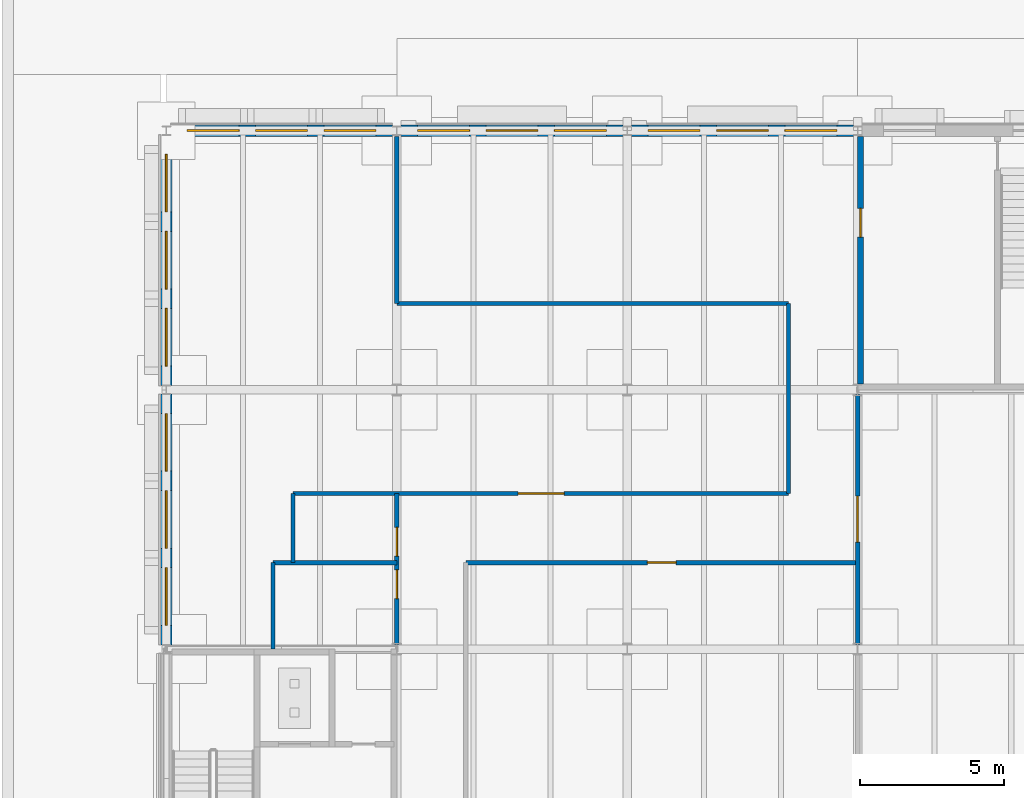
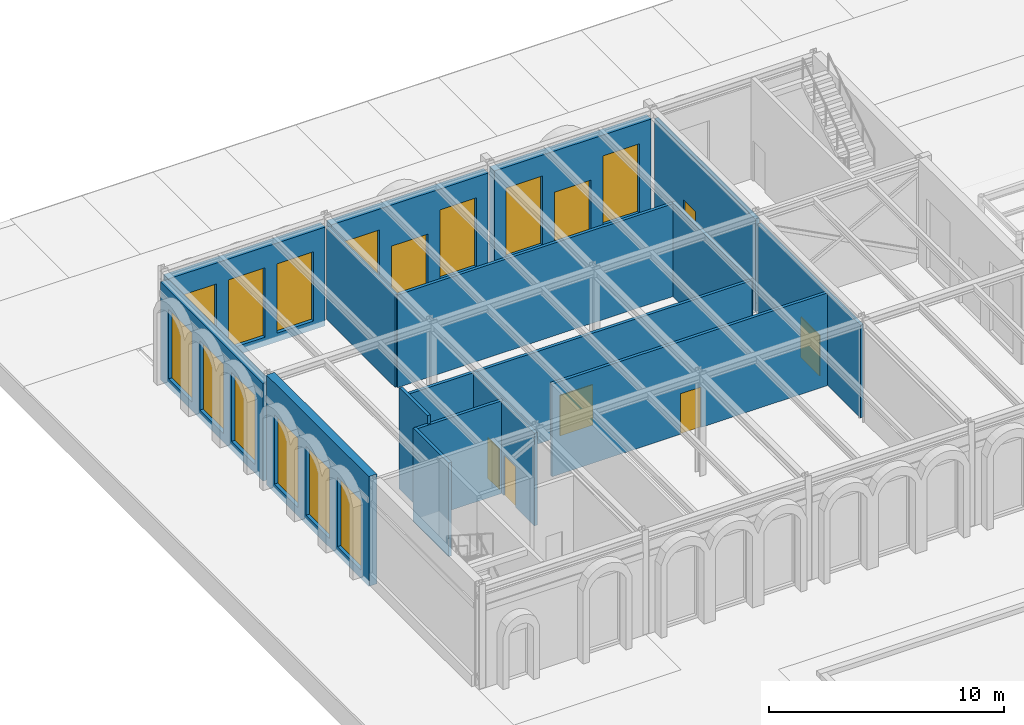
# One storey, part 75 of 126: 16 walls, 13 windows, 8 doors, 21 openings.
"""IFC4 building model written with IfcOpenShell, lengths in metres."""

from ifc_helpers import new_model, si_unit, direction, frame, frame_2d, origin, place, context, subcontext, project, spatial, rectangle, extrude, material, layer, layer_set, type_object, element, fill, save


model = new_model("IFC4")

# Units and contexts
model_context = context("Model", 3, precision=1e-05, world=origin(), true_north=direction((0.0, 1.0)))
body_context = subcontext(model_context, "Body", "Model", "MODEL_VIEW")
ifc_project = project(units=[si_unit("LENGTHUNIT", "METRE"), si_unit("AREAUNIT", "SQUARE_METRE"), si_unit("VOLUMEUNIT", "CUBIC_METRE"), si_unit("PLANEANGLEUNIT", "RADIAN"), si_unit("MASSUNIT", "GRAM", prefix="KILO")], contexts=[model_context])

# Site, building, storey
site_placement = place(None, origin())
site = spatial("IfcSite", under=ifc_project, at=site_placement, CompositionType="ELEMENT")
building_placement = place(site_placement, origin())
building = spatial("IfcBuilding", under=site, at=building_placement, Name="Kallimachos Central Library", CompositionType="ELEMENT")
storey_placement = place(building_placement, origin())
storey = spatial("IfcBuildingStorey", under=building, at=storey_placement, Name="L00", CompositionType="ELEMENT", Elevation=0.0)

# Wall, opening, door
ifc_material_1 = material(Name="Concrete C30/37", Category="concrete")
ifc_layer_1 = layer(ifc_material_1, 0.199951171875)
ifc_layer_set_1 = layer_set([ifc_layer_1], Name="Core wall 200")
wall_type_1 = type_object("IfcWallType", Name="Core wall 200", PredefinedType="SOLIDWALL", material=ifc_layer_set_1)
wall_1_placement = place(storey_placement, frame((30.10009765625, 105.199951171875, 0.0), z_axis=(0.0, 0.0, 1.0), x_axis=(0.0, 1.0, 0.0)))
wall_1 = element("IfcWall", 1, at=wall_1_placement, inside=storey, type_object=wall_type_1, Name="Core wall ne-west L00", PredefinedType="SOLIDWALL", context=body_context, shape_type="SweptSolid", body=[
    extrude(rectangle(XDim=8.60009765625, YDim=0.199951171875, at=frame_2d((4.300048828125, 0.0))), origin(), (0.0, 0.0, 1.0), 4.81005859375),
])
opening_1_placement = place(wall_1_placement, frame((5.10009765625, 0.0, 0.0)))
opening_1 = element("IfcOpeningElement", 2, at=opening_1_placement, cuts=wall_1, Name="Opening D292", PredefinedType="OPENING", context=body_context, shape_type="SweptSolid", body=[
    extrude(rectangle(XDim=1.0, YDim=2.10009765625, at=frame_2d((0.5, 1.050048828125))), frame((0.0, 0.10986328125, 0.0), z_axis=(0.0, -1.0, 0.0), x_axis=(1.0, 0.0, 0.0)), (0.0, 0.0, 1.0), 0.219970703125),
])
ifc_material_2 = material(Name="Steel fire door", Category="steel")
door_type_1 = type_object("IfcDoorType", Name="Fire door 1000 x 2100", OperationType="NOTDEFINED", PredefinedType="DOOR", material=ifc_material_2)
door_1_placement = place(opening_1_placement, frame((1.0, 0.0, 0.0), z_axis=(0.0, 0.0, 1.0), x_axis=(-1.0, 0.0, 0.0)))
door_1 = element("IfcDoor", 3, at=door_1_placement, inside=storey, type_object=door_type_1, Name="Stair lobby ST6 door to corridor", OperationType="SINGLE_SWING_RIGHT", OverallHeight=2.10009765625, OverallWidth=1.0, PredefinedType="DOOR", context=body_context, shape_type="SweptSolid", body=[
    extrude(rectangle(XDim=1.0, YDim=2.10009765625, at=frame_2d((0.5, 1.050048828125))), frame((0.0, 0.02490234375, 0.0), z_axis=(0.0, -1.0, 0.0), x_axis=(1.0, 0.0, 0.0)), (0.0, 0.0, 1.0), 0.050048828125),
])
fill(opening_1, door_1)

# Walls
ifc_material_3 = material(Name="Gypsum board on steel studs", Category="steel")
ifc_layer_2 = layer(ifc_material_3, 0.14990234375)
ifc_layer_set_2 = layer_set([ifc_layer_2], Name="Partition wall 150")
wall_type_2 = type_object("IfcWallType", Name="Partition wall 150", PredefinedType="PARTITIONING", material=ifc_layer_set_2)
wall_2_placement = place(storey_placement, frame((9.699951171875, 96.0, 0.0), z_axis=(0.0, 0.0, 1.0), x_axis=(0.0, 1.0, 0.0)))
element("IfcWall", 4, at=wall_2_placement, inside=storey, type_object=wall_type_2, Name="Partition L00", PredefinedType="PARTITIONING", context=body_context, shape_type="SweptSolid", body=[
    extrude(rectangle(XDim=3.0, YDim=0.14990234375, at=frame_2d((1.5, 0.0))), origin(), (0.0, 0.0, 1.0), 4.860107421875),
])
wall_3_placement = place(storey_placement, frame((9.699951171875, 99.0, 0.0), z_axis=(0.0, 0.0, 1.0), x_axis=(1.0, 0.0, 0.0)))
element("IfcWall", 5, at=wall_3_placement, inside=storey, type_object=wall_type_2, Name="Partition L00", PredefinedType="PARTITIONING", context=body_context, shape_type="SweptSolid", body=[
    extrude(rectangle(XDim=4.300048828125, YDim=0.14990234375, at=frame_2d((2.14990234375, 0.0))), origin(), (0.0, 0.0, 1.0), 4.81005859375),
])
wall_4_placement = place(storey_placement, frame((10.39990234375, 99.0, 0.0), z_axis=(0.0, 0.0, 1.0), x_axis=(0.0, 1.0, 0.0)))
element("IfcWall", 6, at=wall_4_placement, inside=storey, type_object=wall_type_2, Name="Partition L00", PredefinedType="PARTITIONING", context=body_context, shape_type="SweptSolid", body=[
    extrude(rectangle(XDim=2.39990234375, YDim=0.14990234375, at=frame_2d((1.199951171875, 0.0))), origin(), (0.0, 0.0, 1.0), 5.25),
])

# Wall, opening, door
wall_5_placement = place(storey_placement, frame((10.39990234375, 101.39990234375, 0.0), z_axis=(0.0, 0.0, 1.0), x_axis=(1.0, 0.0, 0.0)))
wall_5 = element("IfcWall", 7, at=wall_5_placement, inside=storey, type_object=wall_type_2, Name="Partition L00", PredefinedType="PARTITIONING", context=body_context, shape_type="SweptSolid", body=[
    extrude(rectangle(XDim=17.2001953125, YDim=0.14990234375, at=frame_2d((8.60009765625, 0.0))), origin(), (0.0, 0.0, 1.0), 4.81005859375),
])
opening_2_placement = place(wall_5_placement, frame((7.81005859375, 0.0, 0.0)))
opening_2 = element("IfcOpeningElement", 8, at=opening_2_placement, cuts=wall_5, Name="Opening D295", PredefinedType="OPENING", context=body_context, shape_type="SweptSolid", body=[
    extrude(rectangle(XDim=1.60009765625, YDim=2.10009765625, at=frame_2d((0.800048828125, 1.050048828125))), frame((0.0, 0.0849609375, 0.0), z_axis=(0.0, -1.0, 0.0), x_axis=(1.0, 0.0, 0.0)), (0.0, 0.0, 1.0), 0.169921875),
])
ifc_material_4 = material(Name="Timber door", Category="wood")
door_type_2 = type_object("IfcDoorType", Name="Double leaf door 1600 x 2100", OperationType="DOUBLE_DOOR_SINGLE_SWING", PredefinedType="DOOR", material=ifc_material_4)
door_2_placement = place(opening_2_placement, origin())
door_2 = element("IfcDoor", 9, at=door_2_placement, inside=storey, type_object=door_type_2, Name="Door to Children's Reading Room 2", OperationType="DOUBLE_DOOR_SINGLE_SWING", OverallHeight=2.10009765625, OverallWidth=1.60009765625, PredefinedType="DOOR", context=body_context, shape_type="SweptSolid", body=[
    extrude(rectangle(XDim=1.60009765625, YDim=2.10009765625, at=frame_2d((0.800048828125, 1.050048828125))), frame((0.0, 0.02490234375, 0.0), z_axis=(0.0, -1.0, 0.0), x_axis=(1.0, 0.0, 0.0)), (0.0, 0.0, 1.0), 0.050048828125),
])
fill(opening_2, door_2)

# Wall, openings, doors
wall_6_placement = place(storey_placement, frame((14.0, 96.14990234375, 0.0), z_axis=(0.0, 0.0, 1.0), x_axis=(0.0, 1.0, 0.0)))
wall_6 = element("IfcWall", 10, at=wall_6_placement, inside=storey, type_object=wall_type_2, Name="Partition L00", PredefinedType="PARTITIONING", context=body_context, shape_type="SweptSolid", body=[
    extrude(rectangle(XDim=5.25, YDim=0.14990234375, at=frame_2d((2.625, 0.0))), origin(), (0.0, 0.0, 1.0), 4.81005859375),
])
opening_3_placement = place(wall_6_placement, frame((1.60009765625, 0.0, 0.0)))
opening_3 = element("IfcOpeningElement", 11, at=opening_3_placement, cuts=wall_6, Name="Opening D296", PredefinedType="OPENING", context=body_context, shape_type="SweptSolid", body=[
    extrude(rectangle(XDim=1.0, YDim=2.10009765625, at=frame_2d((0.5, 1.050048828125))), frame((0.0, 0.0849609375, 0.0), z_axis=(0.0, -1.0, 0.0), x_axis=(1.0, 0.0, 0.0)), (0.0, 0.0, 1.0), 0.169921875),
])
opening_4_placement = place(wall_6_placement, frame((3.080078125, 0.0, 0.0)))
opening_4 = element("IfcOpeningElement", 12, at=opening_4_placement, cuts=wall_6, Name="Opening D297", PredefinedType="OPENING", context=body_context, shape_type="SweptSolid", body=[
    extrude(rectangle(XDim=1.0, YDim=2.10009765625, at=frame_2d((0.5, 1.050048828125))), frame((0.0, 0.0849609375, 0.0), z_axis=(0.0, -1.0, 0.0), x_axis=(1.0, 0.0, 0.0)), (0.0, 0.0, 1.0), 0.169921875),
])
ifc_material_5 = material(Name="Timber", Category="wood")
door_type_3 = type_object("IfcDoorType", Name="Single leaf door 1000 x 2100, EI2 30", OperationType="NOTDEFINED", PredefinedType="DOOR", material=ifc_material_5)
door_3_placement = place(opening_3_placement, origin())
door_3 = element("IfcDoor", 13, at=door_3_placement, inside=storey, type_object=door_type_3, Name="Door to Parents' WC 1", OperationType="SINGLE_SWING_LEFT", OverallHeight=2.10009765625, OverallWidth=1.0, PredefinedType="DOOR", context=body_context, shape_type="SweptSolid", body=[
    extrude(rectangle(XDim=1.0, YDim=2.10009765625, at=frame_2d((0.5, 1.050048828125))), frame((0.0, 0.02490234375, 0.0), z_axis=(0.0, -1.0, 0.0), x_axis=(1.0, 0.0, 0.0)), (0.0, 0.0, 1.0), 0.050048828125),
])
fill(opening_3, door_3)
door_4_placement = place(opening_4_placement, origin())
door_4 = element("IfcDoor", 14, at=door_4_placement, inside=storey, type_object=door_type_3, Name="Door to Accessible WC 1", OperationType="SINGLE_SWING_RIGHT", OverallHeight=2.10009765625, OverallWidth=1.0, PredefinedType="DOOR", context=body_context, shape_type="SweptSolid", body=[
    extrude(rectangle(XDim=1.0, YDim=2.10009765625, at=frame_2d((0.5, 1.050048828125))), frame((0.0, 0.02490234375, 0.0), z_axis=(0.0, -1.0, 0.0), x_axis=(1.0, 0.0, 0.0)), (0.0, 0.0, 1.0), 0.050048828125),
])
fill(opening_4, door_4)

# Walls
wall_7_placement = place(storey_placement, frame((14.0, 108.0, 0.0), z_axis=(0.0, 0.0, 1.0), x_axis=(0.0, 1.0, 0.0)))
element("IfcWall", 15, at=wall_7_placement, inside=storey, type_object=wall_type_2, Name="Partition L00", PredefinedType="PARTITIONING", context=body_context, shape_type="SweptSolid", body=[
    extrude(rectangle(XDim=5.800048828125, YDim=0.14990234375, at=frame_2d((2.89990234375, 0.0))), origin(), (0.0, 0.0, 1.0), 4.81005859375),
])
wall_8_placement = place(storey_placement, frame((14.0, 108.0, 0.0), z_axis=(0.0, 0.0, 1.0), x_axis=(1.0, 0.0, 0.0)))
element("IfcWall", 16, at=wall_8_placement, inside=storey, type_object=wall_type_2, Name="Partition L00", PredefinedType="PARTITIONING", context=body_context, shape_type="SweptSolid", body=[
    extrude(rectangle(XDim=13.60009765625, YDim=0.14990234375, at=frame_2d((6.800048828125, 0.0))), origin(), (0.0, 0.0, 1.0), 4.81005859375),
])

# Wall, opening, door
wall_9_placement = place(storey_placement, frame((16.39990234375, 99.0, 0.0), z_axis=(0.0, 0.0, 1.0), x_axis=(1.0, 0.0, 0.0)))
wall_9 = element("IfcWall", 17, at=wall_9_placement, inside=storey, type_object=wall_type_2, Name="Partition L00", PredefinedType="PARTITIONING", context=body_context, shape_type="SweptSolid", body=[
    extrude(rectangle(XDim=13.60009765625, YDim=0.14990234375, at=frame_2d((6.800048828125, 0.0))), origin(), (0.0, 0.0, 1.0), 4.81005859375),
])
opening_5_placement = place(wall_9_placement, frame((6.300048828125, 0.0, 0.0)))
opening_5 = element("IfcOpeningElement", 18, at=opening_5_placement, cuts=wall_9, Name="Opening D293", PredefinedType="OPENING", context=body_context, shape_type="SweptSolid", body=[
    extrude(rectangle(XDim=1.0, YDim=2.10009765625, at=frame_2d((0.5, 1.050048828125))), frame((0.0, 0.0849609375, 0.0), z_axis=(0.0, -1.0, 0.0), x_axis=(1.0, 0.0, 0.0)), (0.0, 0.0, 1.0), 0.169921875),
])
door_5_placement = place(opening_5_placement, origin())
door_5 = element("IfcDoor", 19, at=door_5_placement, inside=storey, type_object=door_type_3, Name="Door to Toddler Room", OperationType="SINGLE_SWING_LEFT", OverallHeight=2.10009765625, OverallWidth=1.0, PredefinedType="DOOR", context=body_context, shape_type="SweptSolid", body=[
    extrude(rectangle(XDim=1.0, YDim=2.10009765625, at=frame_2d((0.5, 1.050048828125))), frame((0.0, 0.02490234375, 0.0), z_axis=(0.0, -1.0, 0.0), x_axis=(1.0, 0.0, 0.0)), (0.0, 0.0, 1.0), 0.050048828125),
])
fill(opening_5, door_5)

# Wall
wall_10_placement = place(storey_placement, frame((27.60009765625, 101.39990234375, 0.0), z_axis=(0.0, 0.0, 1.0), x_axis=(0.0, 1.0, 0.0)))
element("IfcWall", 20, at=wall_10_placement, inside=storey, type_object=wall_type_2, Name="Partition L00", PredefinedType="PARTITIONING", context=body_context, shape_type="SweptSolid", body=[
    extrude(rectangle(XDim=6.60009765625, YDim=0.14990234375, at=frame_2d((3.300048828125, 0.0))), origin(), (0.0, 0.0, 1.0), 4.860107421875),
])

# Wall, opening, door
wall_11_placement = place(storey_placement, frame((30.0, 96.14990234375, 0.0), z_axis=(0.0, 0.0, 1.0), x_axis=(0.0, 1.0, 0.0)))
wall_11 = element("IfcWall", 21, at=wall_11_placement, inside=storey, type_object=wall_type_2, Name="Partition L00", PredefinedType="PARTITIONING", context=body_context, shape_type="SweptSolid", body=[
    extrude(rectangle(XDim=8.7001953125, YDim=0.14990234375, at=frame_2d((4.35009765625, 0.0))), origin(), (0.0, 0.0, 1.0), 4.81005859375),
])
opening_6_placement = place(wall_11_placement, frame((3.56005859375, 0.0, 0.0)))
opening_6 = element("IfcOpeningElement", 22, at=opening_6_placement, cuts=wall_11, Name="Opening D294", PredefinedType="OPENING", context=body_context, shape_type="SweptSolid", body=[
    extrude(rectangle(XDim=1.60009765625, YDim=2.10009765625, at=frame_2d((0.800048828125, 1.050048828125))), frame((0.0, 0.0849609375, 0.0), z_axis=(0.0, -1.0, 0.0), x_axis=(1.0, 0.0, 0.0)), (0.0, 0.0, 1.0), 0.169921875),
])
door_6_placement = place(opening_6_placement, origin())
door_6 = element("IfcDoor", 23, at=door_6_placement, inside=storey, type_object=door_type_2, Name="Door to Children's Reading Room 1", OperationType="DOUBLE_DOOR_SINGLE_SWING", OverallHeight=2.10009765625, OverallWidth=1.60009765625, PredefinedType="DOOR", context=body_context, shape_type="SweptSolid", body=[
    extrude(rectangle(XDim=1.60009765625, YDim=2.10009765625, at=frame_2d((0.800048828125, 1.050048828125))), frame((0.0, 0.02490234375, 0.0), z_axis=(0.0, -1.0, 0.0), x_axis=(1.0, 0.0, 0.0)), (0.0, 0.0, 1.0), 0.050048828125),
])
fill(opening_6, door_6)

# Wall, openings, windows
ifc_material_6 = material(Name="Pentelic marble cladding on insulated brick masonry", Category="masonry")
ifc_layer_3 = layer(ifc_material_6, 0.39990234375)
ifc_layer_set_3 = layer_set([ifc_layer_3], Name="Stone cladding wall 400, unrated")
wall_type_3 = type_object("IfcWallType", Name="Stone cladding wall 400, unrated", PredefinedType="SOLIDWALL", material=ifc_layer_set_3)
wall_12_placement = place(storey_placement, frame((6.14990234375, 114.0, -0.300048828125), z_axis=(0.0, 0.0, 1.0), x_axis=(1.0, 0.0, 0.0)))
wall_12 = element("IfcWall", 24, at=wall_12_placement, inside=storey, type_object=wall_type_3, Name="Stone wall N1 L00", PredefinedType="SOLIDWALL", context=body_context, shape_type="SweptSolid", body=[
    extrude(rectangle(XDim=7.7001953125, YDim=0.39990234375, at=frame_2d((3.85009765625, 0.0))), origin(), (0.0, 0.0, 1.0), 5.130126953125),
])
opening_7_placement = place(wall_12_placement, frame((0.574951171875, 0.0, 0.449951171875)))
opening_7 = element("IfcOpeningElement", 25, at=opening_7_placement, cuts=wall_12, Name="Opening WN195", PredefinedType="OPENING", context=body_context, shape_type="SweptSolid", body=[
    extrude(rectangle(XDim=1.800048828125, YDim=3.60009765625, at=frame_2d((0.89990234375, 1.800048828125))), frame((0.0, 0.2099609375, 0.0), z_axis=(0.0, -1.0, 0.0), x_axis=(1.0, 0.0, 0.0)), (0.0, 0.0, 1.0), 0.419921875),
])
opening_8_placement = place(wall_12_placement, frame((2.949951171875, 0.0, 0.449951171875)))
opening_8 = element("IfcOpeningElement", 26, at=opening_8_placement, cuts=wall_12, Name="Opening WN196", PredefinedType="OPENING", context=body_context, shape_type="SweptSolid", body=[
    extrude(rectangle(XDim=1.800048828125, YDim=3.60009765625, at=frame_2d((0.89990234375, 1.800048828125))), frame((0.0, 0.2099609375, 0.0), z_axis=(0.0, -1.0, 0.0), x_axis=(1.0, 0.0, 0.0)), (0.0, 0.0, 1.0), 0.419921875),
])
opening_9_placement = place(wall_12_placement, frame((5.324951171875, 0.0, 0.449951171875)))
opening_9 = element("IfcOpeningElement", 27, at=opening_9_placement, cuts=wall_12, Name="Opening WN197", PredefinedType="OPENING", context=body_context, shape_type="SweptSolid", body=[
    extrude(rectangle(XDim=1.800048828125, YDim=3.60009765625, at=frame_2d((0.89990234375, 1.800048828125))), frame((0.0, 0.2099609375, 0.0), z_axis=(0.0, -1.0, 0.0), x_axis=(1.0, 0.0, 0.0)), (0.0, 0.0, 1.0), 0.419921875),
])
ifc_material_7 = material(Name="Laminated safety glass in painted steel frame", Category="steel")
window_type_1 = type_object("IfcWindowType", Name="Window 1800 x 3600", PartitioningType="SINGLE_PANEL", PredefinedType="WINDOW", material=ifc_material_7)
window_1_placement = place(opening_7_placement, origin())
window_1 = element("IfcWindow", 28, at=window_1_placement, inside=storey, type_object=window_type_1, Name="V2-WIN-L00-011", OverallHeight=3.60009765625, OverallWidth=1.800048828125, PartitioningType="SINGLE_PANEL", PredefinedType="WINDOW", context=body_context, shape_type="SweptSolid", body=[
    extrude(rectangle(XDim=1.800048828125, YDim=3.60009765625, at=frame_2d((0.89990234375, 1.800048828125))), frame((0.0, 0.030029296875, 0.0), z_axis=(0.0, -1.0, 0.0), x_axis=(1.0, 0.0, 0.0)), (0.0, 0.0, 1.0), 0.06005859375),
])
fill(opening_7, window_1)
window_2_placement = place(opening_8_placement, origin())
window_2 = element("IfcWindow", 29, at=window_2_placement, inside=storey, type_object=window_type_1, Name="V2-WIN-L00-012", OverallHeight=3.60009765625, OverallWidth=1.800048828125, PartitioningType="SINGLE_PANEL", PredefinedType="WINDOW", context=body_context, shape_type="SweptSolid", body=[
    extrude(rectangle(XDim=1.800048828125, YDim=3.60009765625, at=frame_2d((0.89990234375, 1.800048828125))), frame((0.0, 0.030029296875, 0.0), z_axis=(0.0, -1.0, 0.0), x_axis=(1.0, 0.0, 0.0)), (0.0, 0.0, 1.0), 0.06005859375),
])
fill(opening_8, window_2)
window_3_placement = place(opening_9_placement, origin())
window_3 = element("IfcWindow", 30, at=window_3_placement, inside=storey, type_object=window_type_1, Name="V2-WIN-L00-013", OverallHeight=3.60009765625, OverallWidth=1.800048828125, PartitioningType="SINGLE_PANEL", PredefinedType="WINDOW", context=body_context, shape_type="SweptSolid", body=[
    extrude(rectangle(XDim=1.800048828125, YDim=3.60009765625, at=frame_2d((0.89990234375, 1.800048828125))), frame((0.0, 0.030029296875, 0.0), z_axis=(0.0, -1.0, 0.0), x_axis=(1.0, 0.0, 0.0)), (0.0, 0.0, 1.0), 0.06005859375),
])
fill(opening_9, window_3)

# Wall, openings, door, windows
wall_13_placement = place(storey_placement, frame((14.14990234375, 114.0, -0.300048828125), z_axis=(0.0, 0.0, 1.0), x_axis=(1.0, 0.0, 0.0)))
wall_13 = element("IfcWall", 31, at=wall_13_placement, inside=storey, type_object=wall_type_3, Name="Stone wall N2 L00", PredefinedType="SOLIDWALL", context=body_context, shape_type="SweptSolid", body=[
    extrude(rectangle(XDim=7.7001953125, YDim=0.39990234375, at=frame_2d((3.85009765625, 0.0))), origin(), (0.0, 0.0, 1.0), 5.130126953125),
])
opening_10_placement = place(wall_13_placement, frame((0.574951171875, 0.0, 0.449951171875)))
opening_10 = element("IfcOpeningElement", 32, at=opening_10_placement, cuts=wall_13, Name="Opening WN204", PredefinedType="OPENING", context=body_context, shape_type="SweptSolid", body=[
    extrude(rectangle(XDim=1.800048828125, YDim=3.60009765625, at=frame_2d((0.89990234375, 1.800048828125))), frame((0.0, 0.2099609375, 0.0), z_axis=(0.0, -1.0, 0.0), x_axis=(1.0, 0.0, 0.0)), (0.0, 0.0, 1.0), 0.419921875),
])
opening_11_placement = place(wall_13_placement, frame((2.949951171875, 0.0, 0.300048828125)))
opening_11 = element("IfcOpeningElement", 33, at=opening_11_placement, cuts=wall_13, Name="Opening D65", PredefinedType="OPENING", context=body_context, shape_type="SweptSolid", body=[
    extrude(rectangle(XDim=1.800048828125, YDim=2.699951171875, at=frame_2d((0.89990234375, 1.35009765625))), frame((0.0, 0.2099609375, 0.0), z_axis=(0.0, -1.0, 0.0), x_axis=(1.0, 0.0, 0.0)), (0.0, 0.0, 1.0), 0.419921875),
])
opening_12_placement = place(wall_13_placement, frame((5.324951171875, 0.0, 0.449951171875)))
opening_12 = element("IfcOpeningElement", 34, at=opening_12_placement, cuts=wall_13, Name="Opening WN205", PredefinedType="OPENING", context=body_context, shape_type="SweptSolid", body=[
    extrude(rectangle(XDim=1.800048828125, YDim=3.60009765625, at=frame_2d((0.89990234375, 1.800048828125))), frame((0.0, 0.2099609375, 0.0), z_axis=(0.0, -1.0, 0.0), x_axis=(1.0, 0.0, 0.0)), (0.0, 0.0, 1.0), 0.419921875),
])
ifc_material_8 = material(Name="Glazed steel and timber door", Category="steel")
door_type_4 = type_object("IfcDoorType", Name="Entrance door 1800 x 2700", OperationType="DOUBLE_DOOR_SINGLE_SWING", PredefinedType="DOOR", material=ifc_material_8)
door_7_placement = place(opening_11_placement, origin())
door_7 = element("IfcDoor", 35, at=door_7_placement, inside=storey, type_object=door_type_4, Name="Main Entrance E1", OperationType="DOUBLE_DOOR_SINGLE_SWING", OverallHeight=2.699951171875, OverallWidth=1.800048828125, PredefinedType="DOOR", context=body_context, shape_type="SweptSolid", body=[
    extrude(rectangle(XDim=1.800048828125, YDim=2.699951171875, at=frame_2d((0.89990234375, 1.35009765625))), frame((0.0, 0.02490234375, 0.0), z_axis=(0.0, -1.0, 0.0), x_axis=(1.0, 0.0, 0.0)), (0.0, 0.0, 1.0), 0.050048828125),
])
fill(opening_11, door_7)
window_4_placement = place(opening_10_placement, origin())
window_4 = element("IfcWindow", 36, at=window_4_placement, inside=storey, type_object=window_type_1, Name="V2-WIN-L00-014", OverallHeight=3.60009765625, OverallWidth=1.800048828125, PartitioningType="SINGLE_PANEL", PredefinedType="WINDOW", context=body_context, shape_type="SweptSolid", body=[
    extrude(rectangle(XDim=1.800048828125, YDim=3.60009765625, at=frame_2d((0.89990234375, 1.800048828125))), frame((0.0, 0.030029296875, 0.0), z_axis=(0.0, -1.0, 0.0), x_axis=(1.0, 0.0, 0.0)), (0.0, 0.0, 1.0), 0.06005859375),
])
fill(opening_10, window_4)
window_5_placement = place(opening_12_placement, origin())
window_5 = element("IfcWindow", 37, at=window_5_placement, inside=storey, type_object=window_type_1, Name="V2-WIN-L00-015", OverallHeight=3.60009765625, OverallWidth=1.800048828125, PartitioningType="SINGLE_PANEL", PredefinedType="WINDOW", context=body_context, shape_type="SweptSolid", body=[
    extrude(rectangle(XDim=1.800048828125, YDim=3.60009765625, at=frame_2d((0.89990234375, 1.800048828125))), frame((0.0, 0.030029296875, 0.0), z_axis=(0.0, -1.0, 0.0), x_axis=(1.0, 0.0, 0.0)), (0.0, 0.0, 1.0), 0.06005859375),
])
fill(opening_12, window_5)

wall_14_placement = place(storey_placement, frame((22.14990234375, 114.0, -0.300048828125), z_axis=(0.0, 0.0, 1.0), x_axis=(1.0, 0.0, 0.0)))
wall_14 = element("IfcWall", 38, at=wall_14_placement, inside=storey, type_object=wall_type_3, Name="Stone wall N3 L00", PredefinedType="SOLIDWALL", context=body_context, shape_type="SweptSolid", body=[
    extrude(rectangle(XDim=7.7001953125, YDim=0.39990234375, at=frame_2d((3.85009765625, 0.0))), origin(), (0.0, 0.0, 1.0), 5.130126953125),
])
opening_13_placement = place(wall_14_placement, frame((0.574951171875, 0.0, 0.449951171875)))
opening_13 = element("IfcOpeningElement", 39, at=opening_13_placement, cuts=wall_14, Name="Opening WN212", PredefinedType="OPENING", context=body_context, shape_type="SweptSolid", body=[
    extrude(rectangle(XDim=1.800048828125, YDim=3.60009765625, at=frame_2d((0.89990234375, 1.800048828125))), frame((0.0, 0.2099609375, 0.0), z_axis=(0.0, -1.0, 0.0), x_axis=(1.0, 0.0, 0.0)), (0.0, 0.0, 1.0), 0.419921875),
])
opening_14_placement = place(wall_14_placement, frame((2.949951171875, 0.0, 0.300048828125)))
opening_14 = element("IfcOpeningElement", 40, at=opening_14_placement, cuts=wall_14, Name="Opening D66", PredefinedType="OPENING", context=body_context, shape_type="SweptSolid", body=[
    extrude(rectangle(XDim=1.800048828125, YDim=2.699951171875, at=frame_2d((0.89990234375, 1.35009765625))), frame((0.0, 0.2099609375, 0.0), z_axis=(0.0, -1.0, 0.0), x_axis=(1.0, 0.0, 0.0)), (0.0, 0.0, 1.0), 0.419921875),
])
opening_15_placement = place(wall_14_placement, frame((5.324951171875, 0.0, 0.449951171875)))
opening_15 = element("IfcOpeningElement", 41, at=opening_15_placement, cuts=wall_14, Name="Opening WN213", PredefinedType="OPENING", context=body_context, shape_type="SweptSolid", body=[
    extrude(rectangle(XDim=1.800048828125, YDim=3.60009765625, at=frame_2d((0.89990234375, 1.800048828125))), frame((0.0, 0.2099609375, 0.0), z_axis=(0.0, -1.0, 0.0), x_axis=(1.0, 0.0, 0.0)), (0.0, 0.0, 1.0), 0.419921875),
])
door_8_placement = place(opening_14_placement, origin())
door_8 = element("IfcDoor", 42, at=door_8_placement, inside=storey, type_object=door_type_4, Name="Main Entrance E2", OperationType="DOUBLE_DOOR_SINGLE_SWING", OverallHeight=2.699951171875, OverallWidth=1.800048828125, PredefinedType="DOOR", context=body_context, shape_type="SweptSolid", body=[
    extrude(rectangle(XDim=1.800048828125, YDim=2.699951171875, at=frame_2d((0.89990234375, 1.35009765625))), frame((0.0, 0.02490234375, 0.0), z_axis=(0.0, -1.0, 0.0), x_axis=(1.0, 0.0, 0.0)), (0.0, 0.0, 1.0), 0.050048828125),
])
fill(opening_14, door_8)
window_6_placement = place(opening_13_placement, origin())
window_6 = element("IfcWindow", 43, at=window_6_placement, inside=storey, type_object=window_type_1, Name="V2-WIN-L00-016", OverallHeight=3.60009765625, OverallWidth=1.800048828125, PartitioningType="SINGLE_PANEL", PredefinedType="WINDOW", context=body_context, shape_type="SweptSolid", body=[
    extrude(rectangle(XDim=1.800048828125, YDim=3.60009765625, at=frame_2d((0.89990234375, 1.800048828125))), frame((0.0, 0.030029296875, 0.0), z_axis=(0.0, -1.0, 0.0), x_axis=(1.0, 0.0, 0.0)), (0.0, 0.0, 1.0), 0.06005859375),
])
fill(opening_13, window_6)
window_7_placement = place(opening_15_placement, origin())
window_7 = element("IfcWindow", 44, at=window_7_placement, inside=storey, type_object=window_type_1, Name="V2-WIN-L00-017", OverallHeight=3.60009765625, OverallWidth=1.800048828125, PartitioningType="SINGLE_PANEL", PredefinedType="WINDOW", context=body_context, shape_type="SweptSolid", body=[
    extrude(rectangle(XDim=1.800048828125, YDim=3.60009765625, at=frame_2d((0.89990234375, 1.800048828125))), frame((0.0, 0.030029296875, 0.0), z_axis=(0.0, -1.0, 0.0), x_axis=(1.0, 0.0, 0.0)), (0.0, 0.0, 1.0), 0.06005859375),
])
fill(opening_15, window_7)

# Wall, openings, windows
wall_15_placement = place(storey_placement, frame((6.0, 105.14990234375, -0.300048828125), z_axis=(0.0, 0.0, 1.0), x_axis=(0.0, 1.0, 0.0)))
wall_15 = element("IfcWall", 45, at=wall_15_placement, inside=storey, type_object=wall_type_3, Name="Stone wall W3 L00", PredefinedType="SOLIDWALL", context=body_context, shape_type="SweptSolid", body=[
    extrude(rectangle(XDim=8.7001953125, YDim=0.39990234375, at=frame_2d((4.35009765625, 0.0))), origin(), (0.0, 0.0, 1.0), 5.080078125),
])
opening_16_placement = place(wall_15_placement, frame((0.675048828125, 0.0, 0.449951171875)))
opening_16 = element("IfcOpeningElement", 46, at=opening_16_placement, cuts=wall_15, Name="Opening WN234", PredefinedType="OPENING", context=body_context, shape_type="SweptSolid", body=[
    extrude(rectangle(XDim=2.0, YDim=3.60009765625, at=frame_2d((1.0, 1.800048828125))), frame((0.0, 0.2099609375, 0.0), z_axis=(0.0, -1.0, 0.0), x_axis=(1.0, 0.0, 0.0)), (0.0, 0.0, 1.0), 0.419921875),
])
opening_17_placement = place(wall_15_placement, frame((3.35009765625, 0.0, 0.449951171875)))
opening_17 = element("IfcOpeningElement", 47, at=opening_17_placement, cuts=wall_15, Name="Opening WN235", PredefinedType="OPENING", context=body_context, shape_type="SweptSolid", body=[
    extrude(rectangle(XDim=2.0, YDim=3.60009765625, at=frame_2d((1.0, 1.800048828125))), frame((0.0, 0.2099609375, 0.0), z_axis=(0.0, -1.0, 0.0), x_axis=(1.0, 0.0, 0.0)), (0.0, 0.0, 1.0), 0.419921875),
])
opening_18_placement = place(wall_15_placement, frame((6.02490234375, 0.0, 0.449951171875)))
opening_18 = element("IfcOpeningElement", 48, at=opening_18_placement, cuts=wall_15, Name="Opening WN236", PredefinedType="OPENING", context=body_context, shape_type="SweptSolid", body=[
    extrude(rectangle(XDim=2.0, YDim=3.60009765625, at=frame_2d((1.0, 1.800048828125))), frame((0.0, 0.2099609375, 0.0), z_axis=(0.0, -1.0, 0.0), x_axis=(1.0, 0.0, 0.0)), (0.0, 0.0, 1.0), 0.419921875),
])
ifc_material_9 = material(Name="Laminated safety glass in painted steel frame", Category="steel")
window_type_2 = type_object("IfcWindowType", Name="Window 2000 x 3600", PartitioningType="SINGLE_PANEL", PredefinedType="WINDOW", material=ifc_material_9)
window_8_placement = place(opening_16_placement, origin())
window_8 = element("IfcWindow", 49, at=window_8_placement, inside=storey, type_object=window_type_2, Name="V2-WIN-L00-022", OverallHeight=3.60009765625, OverallWidth=2.0, PartitioningType="SINGLE_PANEL", PredefinedType="WINDOW", context=body_context, shape_type="SweptSolid", body=[
    extrude(rectangle(XDim=2.0, YDim=3.60009765625, at=frame_2d((1.0, 1.800048828125))), frame((0.0, 0.030029296875, 0.0), z_axis=(0.0, -1.0, 0.0), x_axis=(1.0, 0.0, 0.0)), (0.0, 0.0, 1.0), 0.06005859375),
])
fill(opening_16, window_8)
window_9_placement = place(opening_17_placement, origin())
window_9 = element("IfcWindow", 50, at=window_9_placement, inside=storey, type_object=window_type_2, Name="V2-WIN-L00-023", OverallHeight=3.60009765625, OverallWidth=2.0, PartitioningType="SINGLE_PANEL", PredefinedType="WINDOW", context=body_context, shape_type="SweptSolid", body=[
    extrude(rectangle(XDim=2.0, YDim=3.60009765625, at=frame_2d((1.0, 1.800048828125))), frame((0.0, 0.030029296875, 0.0), z_axis=(0.0, -1.0, 0.0), x_axis=(1.0, 0.0, 0.0)), (0.0, 0.0, 1.0), 0.06005859375),
])
fill(opening_17, window_9)
window_10_placement = place(opening_18_placement, origin())
window_10 = element("IfcWindow", 51, at=window_10_placement, inside=storey, type_object=window_type_2, Name="V2-WIN-L00-024", OverallHeight=3.60009765625, OverallWidth=2.0, PartitioningType="SINGLE_PANEL", PredefinedType="WINDOW", context=body_context, shape_type="SweptSolid", body=[
    extrude(rectangle(XDim=2.0, YDim=3.60009765625, at=frame_2d((1.0, 1.800048828125))), frame((0.0, 0.030029296875, 0.0), z_axis=(0.0, -1.0, 0.0), x_axis=(1.0, 0.0, 0.0)), (0.0, 0.0, 1.0), 0.06005859375),
])
fill(opening_18, window_10)

ifc_material_10 = material(Name="Pentelic marble cladding on insulated brick masonry", Category="masonry")
ifc_layer_4 = layer(ifc_material_10, 0.39990234375)
ifc_layer_set_4 = layer_set([ifc_layer_4], Name="Stone cladding wall 400, unrated, load-bearing")
wall_type_4 = type_object("IfcWallType", Name="Stone cladding wall 400, unrated, load-bearing", PredefinedType="SOLIDWALL", material=ifc_layer_set_4)
wall_16_placement = place(storey_placement, frame((6.0, 96.14990234375, -0.300048828125), z_axis=(0.0, 0.0, 1.0), x_axis=(0.0, 1.0, 0.0)))
wall_16 = element("IfcWall", 52, at=wall_16_placement, inside=storey, type_object=wall_type_4, Name="Stone wall W2 L00", PredefinedType="SOLIDWALL", context=body_context, shape_type="SweptSolid", body=[
    extrude(rectangle(XDim=8.7001953125, YDim=0.39990234375, at=frame_2d((4.35009765625, 0.0))), origin(), (0.0, 0.0, 1.0), 5.699951171875),
])
opening_19_placement = place(wall_16_placement, frame((0.675048828125, 0.0, 0.449951171875)))
opening_19 = element("IfcOpeningElement", 53, at=opening_19_placement, cuts=wall_16, Name="Opening WN225", PredefinedType="OPENING", context=body_context, shape_type="SweptSolid", body=[
    extrude(rectangle(XDim=2.0, YDim=3.60009765625, at=frame_2d((1.0, 1.800048828125))), frame((0.0, 0.2099609375, 0.0), z_axis=(0.0, -1.0, 0.0), x_axis=(1.0, 0.0, 0.0)), (0.0, 0.0, 1.0), 0.419921875),
])
opening_20_placement = place(wall_16_placement, frame((3.35009765625, 0.0, 0.449951171875)))
opening_20 = element("IfcOpeningElement", 54, at=opening_20_placement, cuts=wall_16, Name="Opening WN226", PredefinedType="OPENING", context=body_context, shape_type="SweptSolid", body=[
    extrude(rectangle(XDim=2.0, YDim=3.60009765625, at=frame_2d((1.0, 1.800048828125))), frame((0.0, 0.2099609375, 0.0), z_axis=(0.0, -1.0, 0.0), x_axis=(1.0, 0.0, 0.0)), (0.0, 0.0, 1.0), 0.419921875),
])
opening_21_placement = place(wall_16_placement, frame((6.02490234375, 0.0, 0.449951171875)))
opening_21 = element("IfcOpeningElement", 55, at=opening_21_placement, cuts=wall_16, Name="Opening WN227", PredefinedType="OPENING", context=body_context, shape_type="SweptSolid", body=[
    extrude(rectangle(XDim=2.0, YDim=3.60009765625, at=frame_2d((1.0, 1.800048828125))), frame((0.0, 0.2099609375, 0.0), z_axis=(0.0, -1.0, 0.0), x_axis=(1.0, 0.0, 0.0)), (0.0, 0.0, 1.0), 0.419921875),
])
window_11_placement = place(opening_19_placement, origin())
window_11 = element("IfcWindow", 56, at=window_11_placement, inside=storey, type_object=window_type_2, Name="V2-WIN-L00-019", OverallHeight=3.60009765625, OverallWidth=2.0, PartitioningType="SINGLE_PANEL", PredefinedType="WINDOW", context=body_context, shape_type="SweptSolid", body=[
    extrude(rectangle(XDim=2.0, YDim=3.60009765625, at=frame_2d((1.0, 1.800048828125))), frame((0.0, 0.030029296875, 0.0), z_axis=(0.0, -1.0, 0.0), x_axis=(1.0, 0.0, 0.0)), (0.0, 0.0, 1.0), 0.06005859375),
])
fill(opening_19, window_11)
window_12_placement = place(opening_20_placement, origin())
window_12 = element("IfcWindow", 57, at=window_12_placement, inside=storey, type_object=window_type_2, Name="V2-WIN-L00-020", OverallHeight=3.60009765625, OverallWidth=2.0, PartitioningType="SINGLE_PANEL", PredefinedType="WINDOW", context=body_context, shape_type="SweptSolid", body=[
    extrude(rectangle(XDim=2.0, YDim=3.60009765625, at=frame_2d((1.0, 1.800048828125))), frame((0.0, 0.030029296875, 0.0), z_axis=(0.0, -1.0, 0.0), x_axis=(1.0, 0.0, 0.0)), (0.0, 0.0, 1.0), 0.06005859375),
])
fill(opening_20, window_12)
window_13_placement = place(opening_21_placement, origin())
window_13 = element("IfcWindow", 58, at=window_13_placement, inside=storey, type_object=window_type_2, Name="V2-WIN-L00-021", OverallHeight=3.60009765625, OverallWidth=2.0, PartitioningType="SINGLE_PANEL", PredefinedType="WINDOW", context=body_context, shape_type="SweptSolid", body=[
    extrude(rectangle(XDim=2.0, YDim=3.60009765625, at=frame_2d((1.0, 1.800048828125))), frame((0.0, 0.030029296875, 0.0), z_axis=(0.0, -1.0, 0.0), x_axis=(1.0, 0.0, 0.0)), (0.0, 0.0, 1.0), 0.06005859375),
])
fill(opening_21, window_13)

save(model, "model.ifc")
